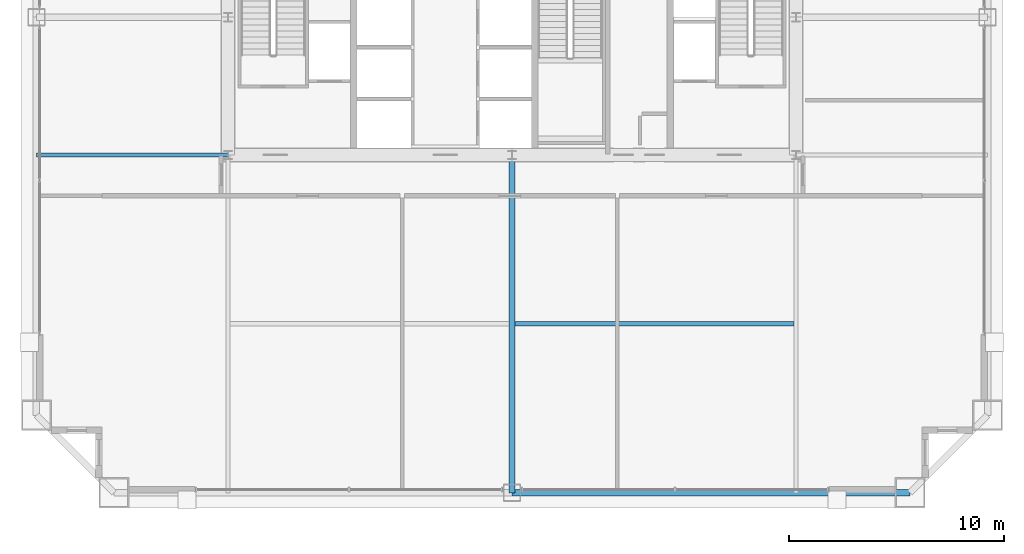
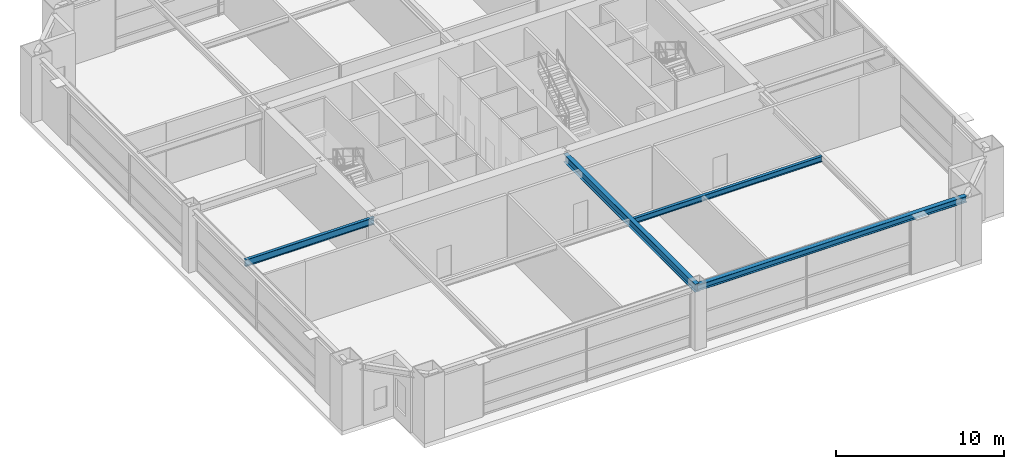
# One storey, part 11 of 34: 4 beams.
"""IFC4 building model written with IfcOpenShell, lengths in metres."""

from ifc_helpers import new_model, si_unit, direction, frame, origin, origin_2d, place, context, subcontext, project, spatial, i_section, extrude, source, transform, mapped, material, material_profile, profile_set, type_object, element, save


model = new_model("IFC4")

# Units and contexts
model_context = context("Model", 3, precision=1e-05, world=origin(), true_north=direction((0.0, 1.0)))
body_context = subcontext(model_context, "Body", "Model", "MODEL_VIEW")
ifc_project = project(units=[si_unit("LENGTHUNIT", "METRE"), si_unit("AREAUNIT", "SQUARE_METRE"), si_unit("VOLUMEUNIT", "CUBIC_METRE"), si_unit("PLANEANGLEUNIT", "RADIAN"), si_unit("MASSUNIT", "GRAM", prefix="KILO"), si_unit("THERMODYNAMICTEMPERATUREUNIT", "KELVIN"), si_unit("POWERUNIT", "WATT")], contexts=[model_context])

# Site, building, storey
site_placement = place(None, origin())
site = spatial("IfcSite", under=ifc_project, at=site_placement, CompositionType="ELEMENT")
building_placement = place(site_placement, origin())
building = spatial("IfcBuilding", under=site, at=building_placement, Name="Yuzanri Waterfront Tower", CompositionType="ELEMENT")
storey_placement = place(building_placement, frame((0.0, 0.0, 171.60009765625)))
storey = spatial("IfcBuildingStorey", under=building, at=storey_placement, Name="L45", CompositionType="ELEMENT", Elevation=171.60009765625)

# Beams
ifc_material_1 = material(Name="Steel Q355B", Category="steel")
ifc_material_profile_1 = material_profile(ifc_material_1, i_section(OverallWidth=0.199951171875, OverallDepth=0.39990234375, WebThickness=0.008056640625, FlangeThickness=0.012939453125, at=origin_2d()), Name="HN 400x200x8x13")
ifc_profile_set_1 = profile_set([ifc_material_profile_1], Name="Steel Q355B")
beam_type_1 = type_object("IfcBeamType", Name="Floor Joist Q355B HN 400x200", PredefinedType="JOIST", material=ifc_profile_set_1)
shared_shape_1 = source(origin(), body_context, "Body", "SweptSolid", [
    extrude(i_section(OverallWidth=0.199951171875, OverallDepth=0.39990234375, WebThickness=0.008056640625, FlangeThickness=0.012939453125, at=origin_2d()), origin(), (0.0, 0.0, 1.0), 12.9501953125),
])
beam_1_placement = place(storey_placement, frame((37.14990234375, 11.550048828125, 4.31982421875), z_axis=(1.0, 0.0, 0.0), x_axis=(0.0, 1.0, 0.0)))
element("IfcBeam", 1, at=beam_1_placement, inside=storey, type_object=beam_type_1, Name="L45 South Bay Joist E", PredefinedType="JOIST", context=body_context, shape_type="MappedRepresentation", body=[
    mapped(shared_shape_1, transform((0.0, 0.0, 0.0), scale=1.0)),
])
ifc_material_2 = material(Name="Steel Q355B", Category="steel")
ifc_material_profile_2 = material_profile(ifc_material_2, i_section(OverallWidth=0.300048828125, OverallDepth=0.43994140625, WebThickness=0.010986328125, FlangeThickness=0.01806640625, at=origin_2d()), Name="HM 440x300x11x18")
ifc_profile_set_2 = profile_set([ifc_material_profile_2], Name="Steel Q355B")
beam_type_2 = type_object("IfcBeamType", Name="Perimeter Spandrel Q355B HM 440x300", PredefinedType="SPANDREL", material=ifc_profile_set_2)
shared_shape_2 = source(origin(), body_context, "Body", "SweptSolid", [
    extrude(i_section(OverallWidth=0.300048828125, OverallDepth=0.43994140625, WebThickness=0.010986328125, FlangeThickness=0.01806640625, at=origin_2d()), origin(), (0.0, 0.0, 1.0), 18.5),
])
beam_2_placement = place(storey_placement, frame((37.0, 3.699951171875, 4.2998046875), z_axis=(1.0, 0.0, 0.0), x_axis=(0.0, 1.0, 0.0)))
element("IfcBeam", 2, at=beam_2_placement, inside=storey, type_object=beam_type_2, Name="L45 Perimeter Spandrel S2-S3", PredefinedType="SPANDREL", context=body_context, shape_type="MappedRepresentation", body=[
    mapped(shared_shape_2, transform((0.0, 0.0, 0.0), scale=1.0)),
])
ifc_material_3 = material(Name="Steel Q355B", Category="steel")
ifc_material_profile_3 = material_profile(ifc_material_3, i_section(OverallWidth=0.300048828125, OverallDepth=0.587890625, WebThickness=0.011962890625, FlangeThickness=0.02001953125, at=origin_2d()), Name="HM 588x300x12x20")
ifc_profile_set_3 = profile_set([ifc_material_profile_3], Name="Steel Q355B")
beam_type_3 = type_object("IfcBeamType", Name="Primary Floor Girder Q355B HM 588x300", PredefinedType="BEAM", material=ifc_profile_set_3)
shared_shape_3 = source(origin(), body_context, "Body", "SweptSolid", [
    extrude(i_section(OverallWidth=0.300048828125, OverallDepth=0.587890625, WebThickness=0.011962890625, FlangeThickness=0.02001953125, at=origin_2d()), origin(), (0.0, 0.0, 1.0), 15.699951171875),
])
beam_3_placement = place(storey_placement, frame((37.0, 19.39990234375, 4.225830078125), z_axis=(0.0, -1.0, 0.0), x_axis=(1.0, 0.0, 0.0)))
element("IfcBeam", 3, at=beam_3_placement, inside=storey, type_object=beam_type_3, Name="L45 South Grid Girder", PredefinedType="BEAM", context=body_context, shape_type="MappedRepresentation", body=[
    mapped(shared_shape_3, transform((0.0, 0.0, 0.0), scale=1.0)),
])
ifc_material_4 = material(Name="Steel Q355B", Category="steel")
ifc_material_profile_4 = material_profile(ifc_material_4, i_section(OverallWidth=0.199951171875, OverallDepth=0.5, WebThickness=0.010009765625, FlangeThickness=0.01611328125, at=origin_2d()), Name="HN 500x200x10x16")
ifc_profile_set_4 = profile_set([ifc_material_profile_4], Name="Steel Q355B")
beam_type_4 = type_object("IfcBeamType", Name="Secondary Floor Beam Q355B HN 500x200", PredefinedType="BEAM", material=ifc_profile_set_4)
shared_shape_4 = source(origin(), body_context, "Body", "SweptSolid", [
    extrude(i_section(OverallWidth=0.199951171875, OverallDepth=0.5, WebThickness=0.010009765625, FlangeThickness=0.01611328125, at=origin_2d()), origin(), (0.0, 0.0, 1.0), 8.900146484375),
])
beam_4_placement = place(storey_placement, frame((23.800048828125, 19.39990234375, 4.27001953125), z_axis=(-1.0, 0.0, 0.0), x_axis=(0.0, -1.0, 0.0)))
element("IfcBeam", 4, at=beam_4_placement, inside=storey, type_object=beam_type_4, Name="L45 West-South Core Line Beam", PredefinedType="BEAM", context=body_context, shape_type="MappedRepresentation", body=[
    mapped(shared_shape_4, transform((0.0, 0.0, 0.0), scale=1.0)),
])

save(model, "model.ifc")
